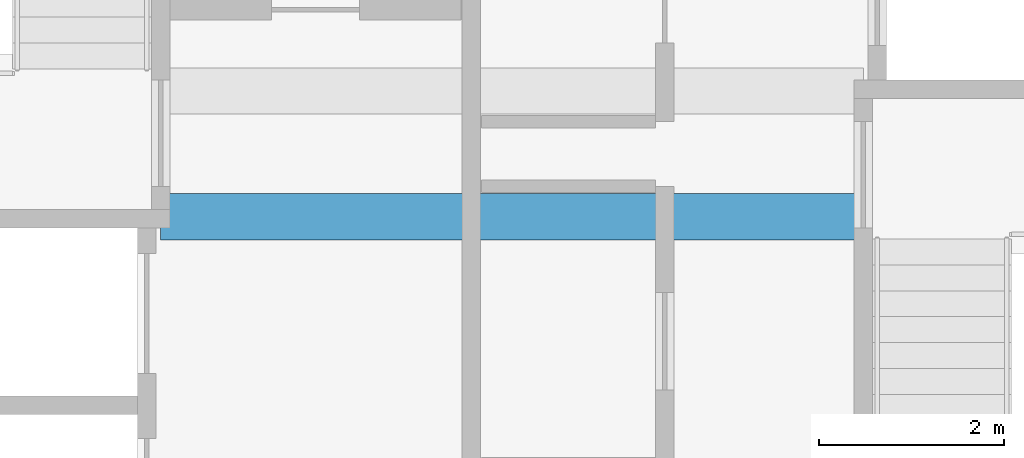
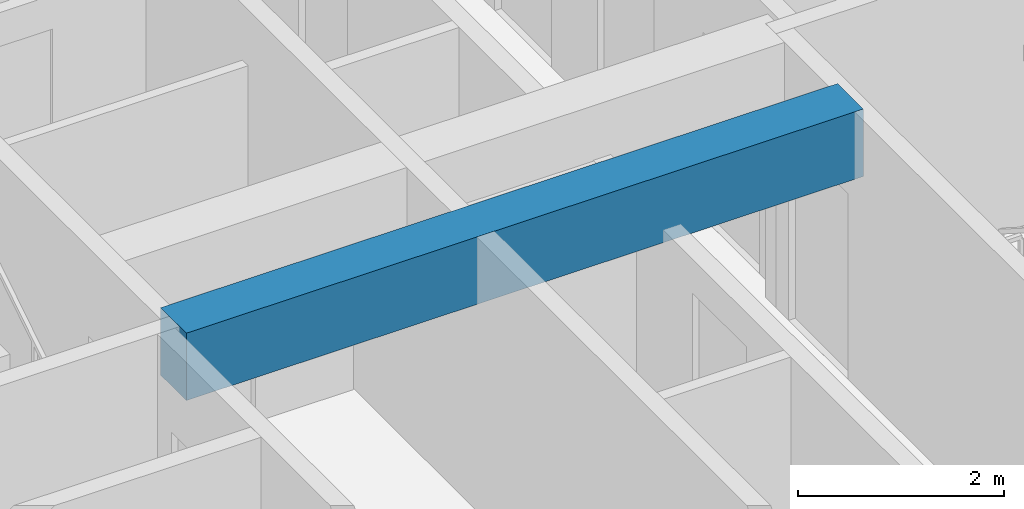
# One storey, part 5 of 18: 1 beam.
"""IFC4 building model written with IfcOpenShell, lengths in metres."""

import ifcopenshell
import ifcopenshell.guid

model = None  # the IFC model being written
_history = None  # IfcOwnerHistory: only IFC2X3 demands one
_inside = {}  # id of a spatial element -> (the spatial element, [elements in it])
_under = {}  # id of a project, library or spatial element -> (it, [spatial elements below it])
_declared = {}  # id of a project -> (the project, [libraries it declares])
_typed = {}  # id of a type object -> (the type object, [elements of that type])
_made_of = {}  # id of a material, layer set ... -> (it, [elements and type objects made of it])


def new_model(schema):
    """Start an empty IFC model of exactly this schema.

    Asked for "IFC4X3", IfcOpenShell would pick the latest addendum, in which some entities
    have other attributes; the version numbers below select the first issue.
    IFC2X3 requires an IfcOwnerHistory on every rooted entity: one is made here for all.
    """
    global model, _history
    if schema == "IFC4X3":
        model = ifcopenshell.file(schema_version=(4, 3, 0, 0))
    else:
        model = ifcopenshell.file(schema=schema)
    _inside.clear()
    _under.clear()
    _declared.clear()
    _typed.clear()
    _made_of.clear()
    _history = None
    if model.schema == "IFC2X3":
        org = make("IfcOrganization", Name="unknown")
        user = make(
            "IfcPersonAndOrganization",
            ThePerson=make("IfcPerson", FamilyName="unknown"),
            TheOrganization=org,
        )
        app = make(
            "IfcApplication",
            ApplicationDeveloper=org,
            Version="unknown",
            ApplicationFullName="unknown",
            ApplicationIdentifier="unknown",
        )
        _history = make(
            "IfcOwnerHistory",
            OwningUser=user,
            OwningApplication=app,
            ChangeAction="ADDED",
            CreationDate=0,
        )
    return model


def make(cls, **values):
    """One entity of the class cls with the attributes given. An attribute that is None is left unset."""
    return model.create_entity(
        cls, **{name: value for name, value in values.items() if value is not None}
    )


def rooted(cls, **values):
    """An entity with a GlobalId (a new one), such as an element, a storey or a relation."""
    return make(cls, GlobalId=ifcopenshell.guid.new(), OwnerHistory=_history, **values)


def si_unit(unit_type, name, prefix=None):
    """IfcSIUnit, for example si_unit("LENGTHUNIT", "METRE", prefix="MILLI")."""
    return make("IfcSIUnit", UnitType=unit_type, Prefix=prefix, Name=name)


def assignment(units):
    """IfcUnitAssignment: the units of a project."""
    return None if units is None else make("IfcUnitAssignment", Units=units)


def point(xyz):
    """IfcCartesianPoint."""
    return None if xyz is None else make("IfcCartesianPoint", Coordinates=xyz)


def direction(xyz):
    """IfcDirection."""
    return None if xyz is None else make("IfcDirection", DirectionRatios=xyz)


def frame(location, z_axis=None, x_axis=None):
    """IfcAxis2Placement3D, a coordinate frame: its origin and axes. An axis left out is left unset."""
    return make(
        "IfcAxis2Placement3D",
        Location=point(location),
        Axis=direction(z_axis),
        RefDirection=direction(x_axis),
    )


def frame_2d(location, x_axis=None):
    """IfcAxis2Placement2D, a coordinate frame in the plane: its origin and x axis."""
    return make(
        "IfcAxis2Placement2D", Location=point(location), RefDirection=direction(x_axis)
    )


def origin():
    """The frame at (0, 0, 0) with its axes left unset."""
    return frame((0.0, 0.0, 0.0))


def origin_2d():
    """The frame at (0, 0) in the plane with its x axis left unset."""
    return frame_2d((0.0, 0.0))


def place(relative_to, where):
    """IfcLocalPlacement: puts the frame where relative to a parent placement (None: the world)."""
    return make(
        "IfcLocalPlacement", PlacementRelTo=relative_to, RelativePlacement=where
    )


def context(
    kind, dimensions, precision=None, world=None, true_north=None, identifier=None
):
    """IfcGeometricRepresentationContext, for example the 3D "Model" context."""
    return make(
        "IfcGeometricRepresentationContext",
        ContextIdentifier=identifier,
        ContextType=kind,
        CoordinateSpaceDimension=dimensions,
        Precision=precision,
        WorldCoordinateSystem=world,
        TrueNorth=true_north,
    )


def subcontext(parent, identifier, kind, view, scale=None):
    """IfcGeometricRepresentationSubContext, for example "Body" below "Model"."""
    return make(
        "IfcGeometricRepresentationSubContext",
        ContextIdentifier=identifier,
        ContextType=kind,
        ParentContext=parent,
        TargetScale=scale,
        TargetView=view,
    )


def project(units=None, contexts=None):
    """IfcProject with its units and contexts."""
    return rooted(
        "IfcProject",
        Name="project",
        RepresentationContexts=contexts,
        UnitsInContext=assignment(units),
    )


def spatial(cls, under=None, at=None, **own):
    """A site, building, storey or space (cls), placed at a placement, below another one or the project."""
    s = rooted(cls, ObjectPlacement=at, **own)
    if under is not None:
        _under.setdefault(under.id(), (under, []))[1].append(s)
    return s


def profile(cls, at=None, kind="AREA", **sizes):
    """A parametric profile (cls). Its sizes go by their IFC names, for example OverallWidth=200.0."""
    return make(cls, ProfileType=kind, Position=at, **sizes)


def rectangle(**sizes):
    """IfcRectangleProfileDef."""
    return profile("IfcRectangleProfileDef", **sizes)


def extrude(swept, where, along, depth):
    """IfcExtrudedAreaSolid: the profile swept, set in the frame where, extruded along a direction by depth."""
    return make(
        "IfcExtrudedAreaSolid",
        SweptArea=swept,
        Position=where,
        ExtrudedDirection=direction(along),
        Depth=depth,
    )


def shape(context_of_items, identifier, shape_type, items):
    """IfcShapeRepresentation: the items that make up one representation, for example the "Body"."""
    return make(
        "IfcShapeRepresentation",
        ContextOfItems=context_of_items,
        RepresentationIdentifier=identifier,
        RepresentationType=shape_type,
        Items=items,
    )


def material(Name=None, Category=None):
    """IfcMaterial."""
    return make("IfcMaterial", Name=Name, Category=Category)


def material_profile(
    of_material, cross_section, Name=None, Category=None, Priority=None
):
    """IfcMaterialProfile: a cross section and its material."""
    return make(
        "IfcMaterialProfile",
        Name=Name,
        Material=of_material,
        Profile=cross_section,
        Priority=Priority,
        Category=Category,
    )


def profile_set(profiles, Name=None, composite=None):
    """IfcMaterialProfileSet."""
    return make(
        "IfcMaterialProfileSet",
        Name=Name,
        MaterialProfiles=profiles,
        CompositeProfile=composite,
    )


def made_of(thing, what):
    """Note that an element or type object is made of a material, layer set ...; save() writes the relation."""
    if what is not None:
        _made_of.setdefault(what.id(), (what, []))[1].append(thing)
    return thing


def type_object(cls, material=None, **own):
    """A type object (cls), such as IfcWallType, which elements share."""
    return made_of(rooted(cls, **own), material)


def element(
    cls,
    number,
    at=None,
    inside=None,
    cuts=None,
    type_object=None,
    material=None,
    context=None,
    identifier="Body",
    shape_type=None,
    held_by="IfcProductDefinitionShape",
    body=None,
    shapes=None,
    **own,
):
    """One element of the class cls, such as IfcWall. Its Tag is "e" and its number.

    at: its placement. inside: the storey or other place that contains it. cuts: it is an
    opening in that element (IfcRelVoidsElement). A single representation is given by context,
    identifier, shape_type and body (its items); several are given by shapes. held_by: the class
    of the entity that holds the representations. save() writes the other relations.
    """
    e = rooted(cls, Tag="e%d" % number, ObjectPlacement=at, **own)
    if body is not None:
        shapes = [shape(context, identifier, shape_type, body)]
    if shapes is not None:
        e.Representation = make(held_by, Representations=shapes)
    if inside is not None:
        _inside.setdefault(inside.id(), (inside, []))[1].append(e)
    if cuts is not None:
        rooted(
            "IfcRelVoidsElement", RelatingBuildingElement=cuts, RelatedOpeningElement=e
        )
    if type_object is not None:
        _typed.setdefault(type_object.id(), (type_object, []))[1].append(e)
    return made_of(e, material)


def aggregate(whole, parts):
    """IfcRelAggregates: a whole, such as a stair, and the parts it consists of."""
    return rooted("IfcRelAggregates", RelatingObject=whole, RelatedObjects=parts)


def save(model, path):
    """Write the relations noted so far, then the file.

    IfcRelAggregates (storeys below a building ...), IfcRelContainedInSpatialStructure (elements
    in a storey), IfcRelDefinesByType, IfcRelAssociatesMaterial and IfcRelDeclares: one each for
    every whole, place, type object, material and project.
    """
    for whole, parts in _under.values():
        aggregate(whole, parts)
    for where, things in _inside.values():
        rooted(
            "IfcRelContainedInSpatialStructure",
            RelatedElements=things,
            RelatingStructure=where,
        )
    for kind, things in _typed.values():
        rooted("IfcRelDefinesByType", RelatedObjects=things, RelatingType=kind)
    for what, things in _made_of.values():
        rooted("IfcRelAssociatesMaterial", RelatedObjects=things, RelatingMaterial=what)
    for by, libraries in _declared.values():
        rooted("IfcRelDeclares", RelatingContext=by, RelatedDefinitions=libraries)
    model.write(path)


model = new_model("IFC4")

# Units and contexts
model_context = context("Model", 3, precision=1e-05, world=origin(), true_north=direction((0.0, 1.0)))
body_context = subcontext(model_context, "Body", "Model", "MODEL_VIEW")
ifc_project = project(units=[si_unit("LENGTHUNIT", "METRE"), si_unit("AREAUNIT", "SQUARE_METRE"), si_unit("VOLUMEUNIT", "CUBIC_METRE"), si_unit("PLANEANGLEUNIT", "RADIAN"), si_unit("MASSUNIT", "GRAM", prefix="KILO")], contexts=[model_context])

# Site, building, storey
site_placement = place(None, origin())
site = spatial("IfcSite", under=ifc_project, at=site_placement, CompositionType="ELEMENT")
building_placement = place(site_placement, origin())
building = spatial("IfcBuilding", under=site, at=building_placement, Name="Tashvorn Skyway Center", CompositionType="ELEMENT")
storey_placement = place(building_placement, frame((0.0, 0.0, 274.050048828125)))
storey = spatial("IfcBuildingStorey", under=building, at=storey_placement, Name="L74", CompositionType="ELEMENT", Elevation=274.050048828125)

# Beam
ifc_material = material(Name="Concrete C50/60", Category="concrete")
ifc_material_profile = material_profile(ifc_material, rectangle(XDim=0.5, YDim=0.800048828125, at=origin_2d()), Name="RCB500x800")
ifc_profile_set = profile_set([ifc_material_profile], Name="Concrete C50/60")
beam_type = type_object("IfcBeamType", Name="BM-LINTEL-RCB500x800", PredefinedType="LINTEL", material=ifc_profile_set)
beam_placement = place(storey_placement, frame((38.199951171875, 31.320068359375, 2.849853515625), z_axis=(1.0, 0.0, 0.0), x_axis=(0.0, 1.0, 0.0)))
element("IfcBeam", 1, at=beam_placement, inside=storey, type_object=beam_type, Name="Tower 1 L74 Core Coupling Beam CS", PredefinedType="LINTEL", context=body_context, shape_type="SweptSolid", body=[
    extrude(rectangle(XDim=0.5, YDim=0.800048828125, at=origin_2d()), origin(), (0.0, 0.0, 1.0), 7.60009765625),
])

save(model, "model.ifc")
